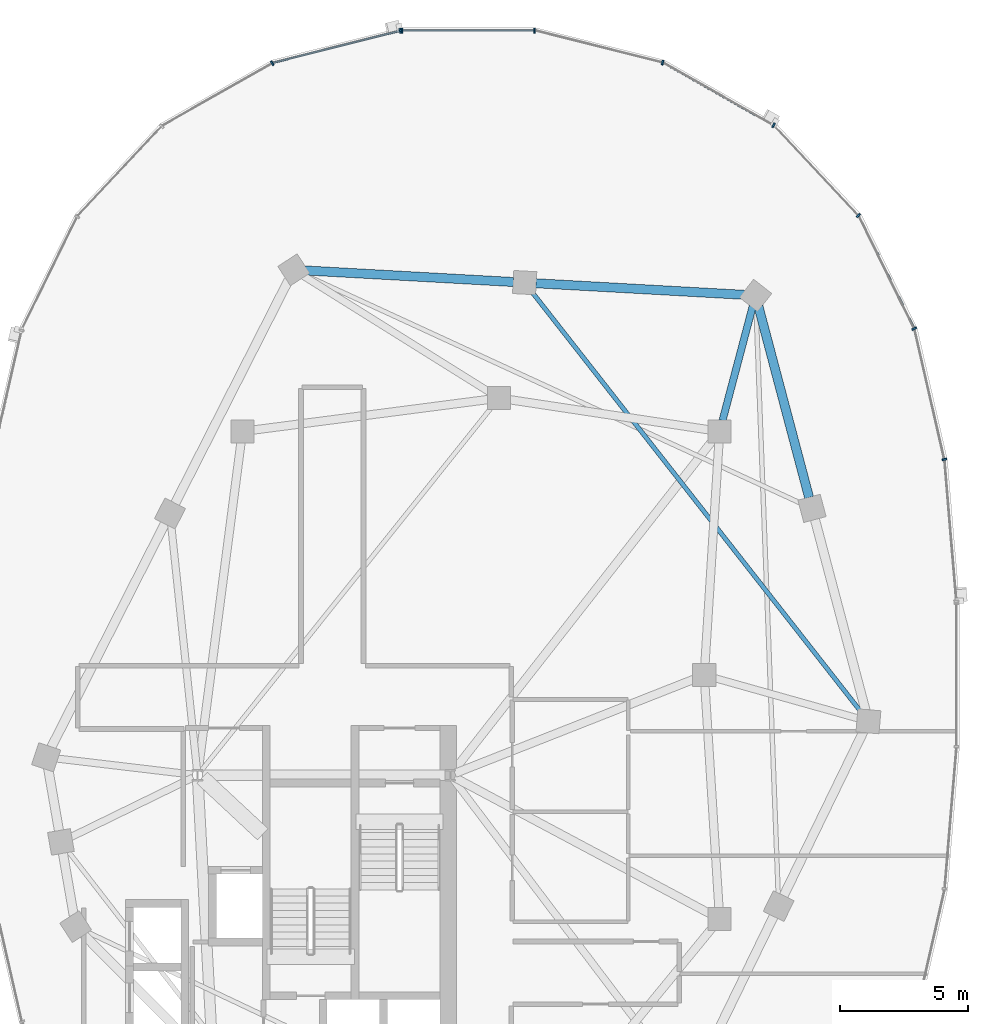
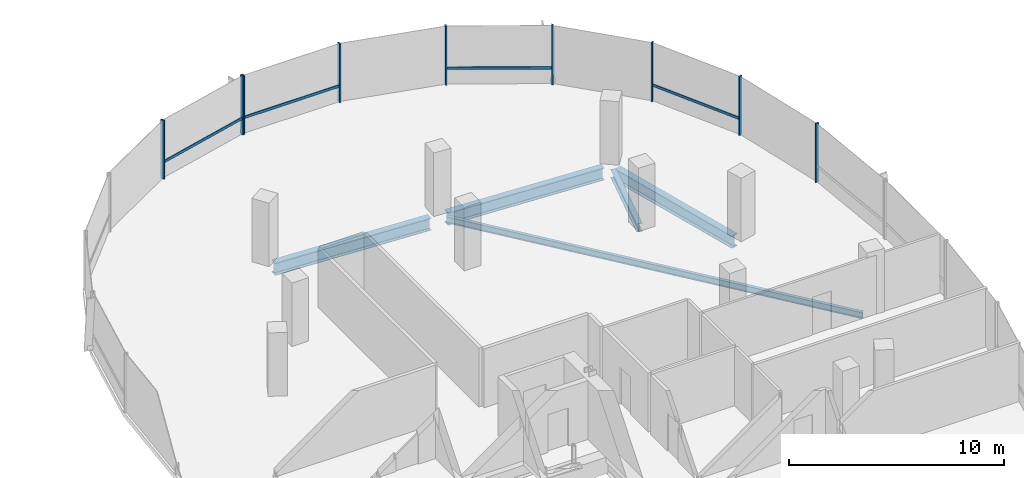
# One storey, part 12 of 25: 13 members, 5 beams, 2 elements without a shape of their own.
"""IFC4 building model written with IfcOpenShell, lengths in metres."""

from ifc_helpers import new_model, si_unit, direction, frame, origin, origin_2d, place, context, subcontext, project, spatial, rectangle, i_section, extrude, material, material_profile, profile_set, type_object, element, aggregate, save


model = new_model("IFC4")

# Units and contexts
model_context = context("Model", 3, precision=1e-05, world=origin(), true_north=direction((0.0, 1.0)))
body_context = subcontext(model_context, "Body", "Model", "MODEL_VIEW")
ifc_project = project(units=[si_unit("LENGTHUNIT", "METRE"), si_unit("AREAUNIT", "SQUARE_METRE"), si_unit("VOLUMEUNIT", "CUBIC_METRE"), si_unit("PLANEANGLEUNIT", "RADIAN"), si_unit("MASSUNIT", "GRAM", prefix="KILO"), si_unit("THERMODYNAMICTEMPERATUREUNIT", "KELVIN"), si_unit("POWERUNIT", "WATT")], contexts=[model_context])

# Site, building, storey
site_placement = place(None, origin())
site = spatial("IfcSite", under=ifc_project, at=site_placement, CompositionType="ELEMENT")
building_placement = place(site_placement, origin())
building = spatial("IfcBuilding", under=site, at=building_placement, Name="Cundina Bronze Exchange", CompositionType="ELEMENT")
storey_placement = place(building_placement, frame((0.0, 0.0, 199.0)))
storey = spatial("IfcBuildingStorey", under=building, at=storey_placement, Name="L52", CompositionType="ELEMENT", Elevation=199.0)

# Beams
ifc_material_1 = material(Name="Steel ASTM A992 Grade 50", Category="steel")
ifc_material_profile_1 = material_profile(ifc_material_1, i_section(OverallWidth=0.280029296875, OverallDepth=0.462890625, WebThickness=0.0107421875, FlangeThickness=0.017333984375, FilletRadius=0.011962890625, at=origin_2d()), Name="W18X76", Category="steel")
ifc_profile_set_1 = profile_set([ifc_material_profile_1], Name="Steel ASTM A992 Grade 50")
beam_type_1 = type_object("IfcBeamType", Name="BM-FLR-W18A", PredefinedType="BEAM", material=ifc_profile_set_1)
beam_1_placement = place(storey_placement, frame((41.911865234375, 9.923583984375, -0.491455078125), z_axis=(0.255398602339, 0.96683584642, 0.0), x_axis=(-0.96683584642, 0.255398602339, 0.0)))
element("IfcBeam", 1, at=beam_1_placement, inside=storey, type_object=beam_type_1, Name="L52 Leg E Chordal Floor Beam 10", PredefinedType="BEAM", context=body_context, shape_type="SweptSolid", body=[
    extrude(i_section(OverallWidth=0.280029296875, OverallDepth=0.462890625, WebThickness=0.0107421875, FlangeThickness=0.017333984375, FilletRadius=0.011962890625, at=origin_2d()), origin(), (0.0, 0.0, 1.0), 4.605712890625),
])
ifc_material_profile_2 = material_profile(ifc_material_1, i_section(OverallWidth=0.172119140625, OverallDepth=0.35791015625, WebThickness=0.0078125, FlangeThickness=0.01318359375, FilletRadius=0.010009765625, at=origin_2d()), Name="W14X38", Category="steel")
ifc_profile_set_2 = profile_set([ifc_material_profile_2], Name="Steel ASTM A992 Grade 50")
beam_type_2 = type_object("IfcBeamType", Name="BM-JST-W14", PredefinedType="JOIST", material=ifc_profile_set_2)
beam_2_placement = place(storey_placement, frame((47.329833984375, -1.455078125, -0.43896484375), z_axis=(-0.616810493522, 0.787111691618, 0.0), x_axis=(-0.787111691618, -0.616810493522, 0.0)))
element("IfcBeam", 2, at=beam_2_placement, inside=storey, type_object=beam_type_2, Name="L52 Leg E Lobe Floor Joist 08-11", PredefinedType="JOIST", context=body_context, shape_type="SweptSolid", body=[
    extrude(i_section(OverallWidth=0.172119140625, OverallDepth=0.35791015625, WebThickness=0.0078125, FlangeThickness=0.01318359375, FilletRadius=0.010009765625, at=origin_2d()), origin(), (0.0, 0.0, 1.0), 20.8486328125),
])
ifc_material_profile_3 = material_profile(ifc_material_1, i_section(OverallWidth=0.35498046875, OverallDepth=0.695068359375, WebThickness=0.015380859375, FlangeThickness=0.02490234375, FilletRadius=0.01806640625, at=origin_2d()), Name="W27X146", Category="steel")
ifc_profile_set_3 = profile_set([ifc_material_profile_3], Name="Steel ASTM A992 Grade 50")
beam_type_3 = type_object("IfcBeamType", Name="BM-RING-W27", PredefinedType="USERDEFINED", material=ifc_profile_set_3)
beam_3_placement = place(storey_placement, frame((45.287841796875, 6.92333984375, -0.607421875), z_axis=(-0.256211934474, 0.966620631185, 0.0), x_axis=(-0.966620631185, -0.256211934474, 0.0)))
element("IfcBeam", 3, at=beam_3_placement, inside=storey, type_object=beam_type_3, Name="L52 E Perimeter Ring Girder 09", ObjectType="GIRDER", PredefinedType="USERDEFINED", context=body_context, shape_type="SweptSolid", body=[
    extrude(i_section(OverallWidth=0.35498046875, OverallDepth=0.695068359375, WebThickness=0.015380859375, FlangeThickness=0.02490234375, FilletRadius=0.01806640625, at=origin_2d()), origin(), (0.0, 0.0, 1.0), 7.710693359375),
])
for number, where, z_axis, x_axis, name in (
    (4, (42.7626953125, 14.82421875, -0.607421875), (-0.998460353205, 0.055470019623, 0.0), (-0.055470019623, -0.998460353205, 0.0), "L52 E Perimeter Ring Girder 10"),
    (5, (33.7626953125, 15.32421875, -0.607421875), (-0.998460353205, 0.055470019623, 0.0), (-0.055470019623, -0.998460353205, 0.0), "L52 E Perimeter Ring Girder 11"),
):
    element("IfcBeam", number, at=place(storey_placement, frame(where, z_axis=z_axis, x_axis=x_axis)), inside=storey, type_object=beam_type_3, Name=name, ObjectType="GIRDER", PredefinedType="USERDEFINED", context=body_context, shape_type="SweptSolid", body=[
        extrude(i_section(OverallWidth=0.35498046875, OverallDepth=0.695068359375, WebThickness=0.015380859375, FlangeThickness=0.02490234375, FilletRadius=0.01806640625, at=origin_2d()), origin(), (0.0, 0.0, 1.0), 8.137939453125),
    ])

# Curtain wall, members
ifc_material_2 = material(Name="Anodised Bronze Aluminium 6063-T6", Category="aluminium")
curtain_wall_type = type_object("IfcCurtainWallType", Name="CWS-UPP-OFF", PredefinedType="NOTDEFINED", material=ifc_material_2)
curtain_wall_1_placement = place(storey_placement, origin())
curtain_wall_1 = element("IfcCurtainWall", 6, at=curtain_wall_1_placement, inside=storey, type_object=curtain_wall_type, Name="L52 CW-05 Curtain Wall Run CWR-L52-E1", PredefinedType="NOTDEFINED")
ifc_material_profile_4 = material_profile(ifc_material_2, rectangle(XDim=0.070068359375, YDim=0.18994140625, at=origin_2d()), Name="AL70X190", Category="aluminium")
ifc_profile_set_4 = profile_set([ifc_material_profile_4], Name="Anodised Bronze Aluminium 6063-T6")
member_type_1 = type_object("IfcMemberType", Name="CWM-MUL-190", PredefinedType="MULLION", material=ifc_profile_set_4)
member_1_placement = place(storey_placement, frame((50.56005859375, 8.4111328125, 0.0), z_axis=(0.0, 0.0, 1.0), x_axis=(-0.223250116011, 0.974761194191, 0.0)))
member_1 = element("IfcMember", 7, at=member_1_placement, type_object=member_type_1, Name="CW-05 Mullion 2", PredefinedType="MULLION", context=body_context, shape_type="SweptSolid", body=[
    extrude(rectangle(XDim=0.070068359375, YDim=0.18994140625, at=origin_2d()), origin(), (0.0, 0.0, 1.0), 3.340087890625),
])
member_2_placement = place(storey_placement, frame((49.38427734375, 13.50732421875, 0.0), z_axis=(0.0, 0.0, 1.0), x_axis=(-0.440566004113, 0.897720221461, 0.0)))
member_2 = element("IfcMember", 8, at=member_2_placement, type_object=member_type_1, Name="CW-05 Mullion 3", PredefinedType="MULLION", context=body_context, shape_type="SweptSolid", body=[
    extrude(rectangle(XDim=0.070068359375, YDim=0.18994140625, at=origin_2d()), origin(), (0.0, 0.0, 1.0), 3.340087890625),
])
member_3_placement = place(storey_placement, frame((47.209716796875, 17.91796875, 0.0), z_axis=(0.0, 0.0, 1.0), x_axis=(-0.684292606175, 0.729207535023, 0.0)))
member_3 = element("IfcMember", 9, at=member_3_placement, type_object=member_type_1, Name="CW-05 Mullion 4", PredefinedType="MULLION", context=body_context, shape_type="SweptSolid", body=[
    extrude(rectangle(XDim=0.070068359375, YDim=0.18994140625, at=origin_2d()), origin(), (0.0, 0.0, 1.0), 3.340087890625),
])
member_4_placement = place(storey_placement, frame((43.899658203125, 21.43115234375, 0.0), z_axis=(0.0, 0.0, 1.0), x_axis=(-0.86958112538, 0.493790103568, 0.0)))
member_4 = element("IfcMember", 10, at=member_4_placement, type_object=member_type_1, Name="CW-05 Mullion 5", PredefinedType="MULLION", context=body_context, shape_type="SweptSolid", body=[
    extrude(rectangle(XDim=0.070068359375, YDim=0.18994140625, at=origin_2d()), origin(), (0.0, 0.0, 1.0), 3.340087890625),
])
member_5_placement = place(storey_placement, frame((39.577392578125, 23.87548828125, 0.0), z_axis=(0.0, 0.0, 1.0), x_axis=(-0.969744325821, 0.244122802168, 0.0)))
member_5 = element("IfcMember", 11, at=member_5_placement, type_object=member_type_1, Name="CW-05 Mullion 6", PredefinedType="MULLION", context=body_context, shape_type="SweptSolid", body=[
    extrude(rectangle(XDim=0.070068359375, YDim=0.18994140625, at=origin_2d()), origin(), (0.0, 0.0, 1.0), 3.340087890625),
])
member_6_placement = place(storey_placement, frame((34.580078125, 25.125, 0.0), z_axis=(0.0, 0.0, 1.0), x_axis=(-1.0, 0.0, 0.0)))
member_6 = element("IfcMember", 12, at=member_6_placement, type_object=member_type_1, Name="CW-05 Mullion 7", PredefinedType="MULLION", context=body_context, shape_type="SweptSolid", body=[
    extrude(rectangle(XDim=0.070068359375, YDim=0.18994140625, at=origin_2d()), origin(), (0.0, 0.0, 1.0), 3.340087890625),
])
member_7_placement = place(storey_placement, frame((29.419921875, 25.125, 0.0), z_axis=(0.0, 0.0, 1.0), x_axis=(-1.0, 0.0, 0.0)))
member_7 = element("IfcMember", 13, at=member_7_placement, type_object=member_type_1, Name="CW-05 End Mullion", PredefinedType="MULLION", context=body_context, shape_type="SweptSolid", body=[
    extrude(rectangle(XDim=0.070068359375, YDim=0.18994140625, at=origin_2d()), origin(), (0.0, 0.0, 1.0), 3.340087890625),
])

curtain_wall_2_placement = place(storey_placement, origin())
curtain_wall_2 = element("IfcCurtainWall", 14, at=curtain_wall_2_placement, inside=storey, type_object=curtain_wall_type, Name="L52 CW-05 Curtain Wall Run CWR-L52-E2", PredefinedType="NOTDEFINED")
member_8_placement = place(storey_placement, frame((29.3515625, 25.116455078125, 0.0), z_axis=(0.0, 0.0, 1.0), x_axis=(-0.969744325821, -0.244122802168, 0.0)))
member_8 = element("IfcMember", 15, at=member_8_placement, type_object=member_type_1, Name="CW-05 Mullion 1", PredefinedType="MULLION", context=body_context, shape_type="SweptSolid", body=[
    extrude(rectangle(XDim=0.070068359375, YDim=0.18994140625, at=origin_2d()), origin(), (0.0, 0.0, 1.0), 3.340087890625),
])
member_9_placement = place(storey_placement, frame((24.361083984375, 23.850830078125, 0.0), z_axis=(0.0, 0.0, 1.0), x_axis=(-0.86958112538, -0.493790103568, 0.0)))
member_9 = element("IfcMember", 16, at=member_9_placement, type_object=member_type_1, Name="CW-05 Mullion 2", PredefinedType="MULLION", context=body_context, shape_type="SweptSolid", body=[
    extrude(rectangle(XDim=0.070068359375, YDim=0.18994140625, at=origin_2d()), origin(), (0.0, 0.0, 1.0), 3.340087890625),
])

# Member
ifc_material_profile_5 = material_profile(ifc_material_2, rectangle(XDim=0.06494140625, YDim=0.14990234375, at=origin_2d()), Name="AL65X150", Category="aluminium")
ifc_profile_set_5 = profile_set([ifc_material_profile_5], Name="Anodised Bronze Aluminium 6063-T6")
member_type_2 = type_object("IfcMemberType", Name="CWM-TRN-150", PredefinedType="USERDEFINED", material=ifc_profile_set_5)
member_10_placement = place(storey_placement, frame((49.3671875, 13.5419921875, 0.919921875), z_axis=(-0.440483110889, 0.897760897467, 0.0), x_axis=(-0.897760897467, -0.440483110889, 0.0)))
member_10 = element("IfcMember", 17, at=member_10_placement, type_object=member_type_2, Name="CW-05 Spandrel Transom 3", ObjectType="TRANSOM", PredefinedType="USERDEFINED", context=body_context, shape_type="SweptSolid", body=[
    extrude(rectangle(XDim=0.06494140625, YDim=0.14990234375, at=origin_2d()), origin(), (0.0, 0.0, 1.0), 4.855224609375),
])

member_11_placement = place(storey_placement, frame((43.8662109375, 21.4501953125, 0.919921875), z_axis=(-0.869573748083, 0.493803095013, 0.0), x_axis=(-0.493803095013, -0.869573748083, 0.0)))
member_11 = element("IfcMember", 18, at=member_11_placement, type_object=member_type_2, Name="CW-05 Spandrel Transom 5", ObjectType="TRANSOM", PredefinedType="USERDEFINED", context=body_context, shape_type="SweptSolid", body=[
    extrude(rectangle(XDim=0.06494140625, YDim=0.14990234375, at=origin_2d()), origin(), (0.0, 0.0, 1.0), 4.900146484375),
])

member_12_placement = place(storey_placement, frame((34.54150390625, 25.125, 0.919921875), z_axis=(-1.0, 0.0, 0.0), x_axis=(0.0, -1.0, 0.0)))
member_12 = element("IfcMember", 19, at=member_12_placement, type_object=member_type_2, Name="CW-05 Spandrel Transom 7", ObjectType="TRANSOM", PredefinedType="USERDEFINED", context=body_context, shape_type="SweptSolid", body=[
    extrude(rectangle(XDim=0.06494140625, YDim=0.14990234375, at=origin_2d()), origin(), (0.0, 0.0, 1.0), 5.0830078125),
])

aggregate(curtain_wall_1, [member_1, member_2, member_10, member_3, member_4, member_11, member_5, member_6, member_7, member_12])

member_13_placement = place(storey_placement, frame((29.314208984375, 25.107177734375, 0.919921875), z_axis=(-0.969725738797, -0.244196624699, 0.0), x_axis=(0.244196624699, -0.969725738797, 0.0)))
member_13 = element("IfcMember", 20, at=member_13_placement, type_object=member_type_2, Name="CW-05 Spandrel Transom 1", ObjectType="TRANSOM", PredefinedType="USERDEFINED", context=body_context, shape_type="SweptSolid", body=[
    extrude(rectangle(XDim=0.06494140625, YDim=0.14990234375, at=origin_2d()), origin(), (0.0, 0.0, 1.0), 5.082763671875),
])

aggregate(curtain_wall_2, [member_8, member_13, member_9])

save(model, "model.ifc")
